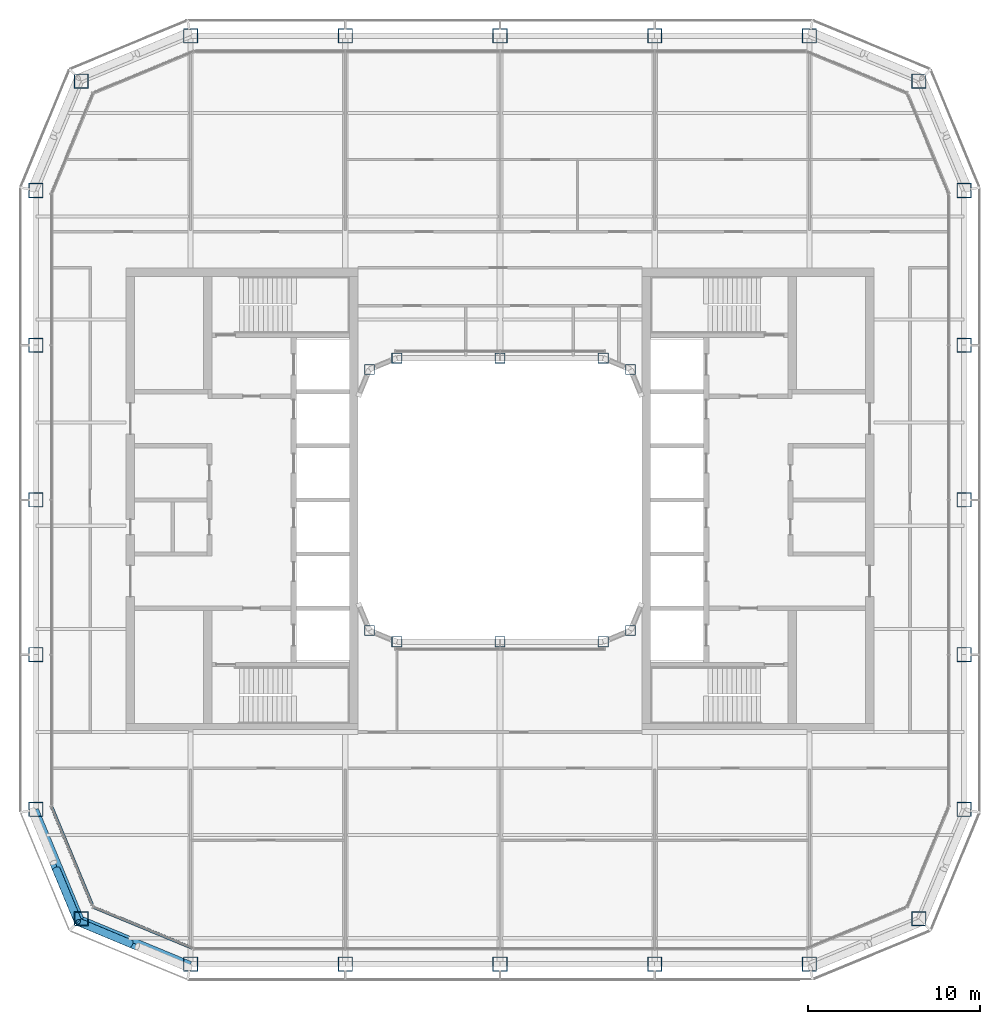
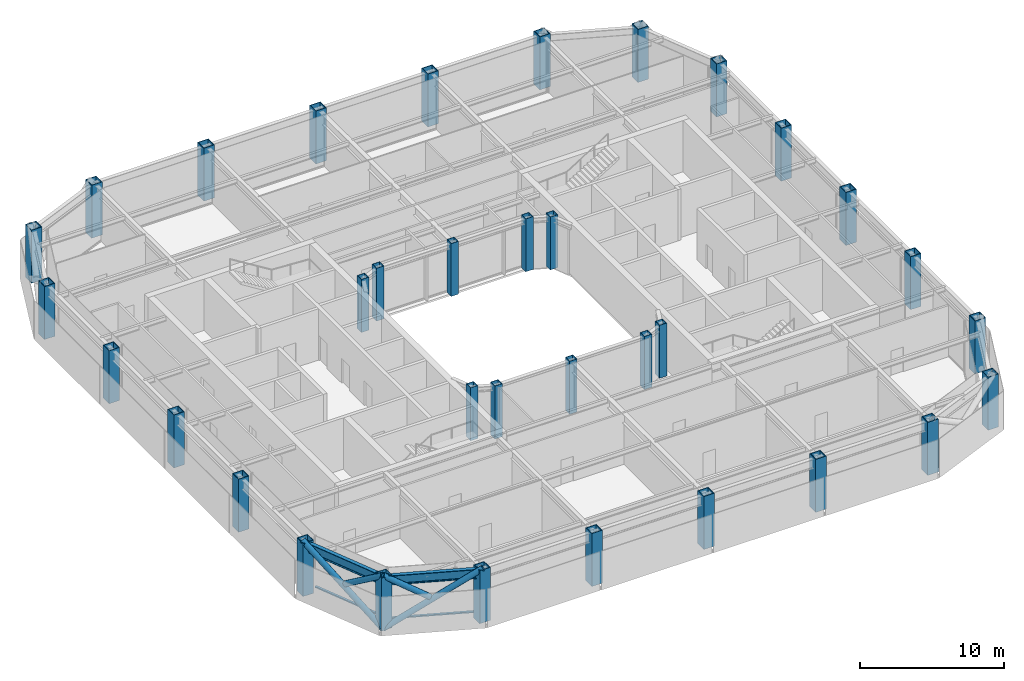
# One storey, part 1 of 19: 34 columns, 6 members, 2 beams, 2 elements without a shape of their own.
"""IFC4 building model written with IfcOpenShell, lengths in metres."""

from ifc_helpers import new_model, si_unit, direction, frame, origin, origin_2d, place, context, subcontext, project, spatial, rectangle, hollow_rectangle, hollow_circle, i_section, extrude, material, layer, layer_set, material_profile, profile_set, type_object, element, aggregate, save


model = new_model("IFC4")

# Units and contexts
model_context = context("Model", 3, precision=1e-05, world=origin(), true_north=direction((0.0, 1.0)))
body_context = subcontext(model_context, "Body", "Model", "MODEL_VIEW")
ifc_project = project(units=[si_unit("LENGTHUNIT", "METRE"), si_unit("AREAUNIT", "SQUARE_METRE"), si_unit("VOLUMEUNIT", "CUBIC_METRE"), si_unit("PLANEANGLEUNIT", "RADIAN"), si_unit("MASSUNIT", "GRAM", prefix="KILO")], contexts=[model_context])

# Site, building, storey
site_placement = place(None, origin())
site = spatial("IfcSite", under=ifc_project, at=site_placement, CompositionType="ELEMENT")
building_placement = place(site_placement, origin())
building = spatial("IfcBuilding", under=site, at=building_placement, Name="Siwar Civic Tower", CompositionType="ELEMENT")
storey_placement = place(building_placement, frame((0.0, 0.0, 192.699951171875)))
storey = spatial("IfcBuildingStorey", under=building, at=storey_placement, Name="L41", CompositionType="ELEMENT", Elevation=192.699951171875)

# Columns
ifc_material_1 = material(Name="Steel S355", Category="steel")
ifc_material_profile_1 = material_profile(ifc_material_1, hollow_rectangle(XDim=0.85009765625, YDim=0.85009765625, WallThickness=0.050048828125, at=origin_2d()), Name="BOX850x850x50")
ifc_profile_set_1 = profile_set([ifc_material_profile_1], Name="Steel S355")
column_type_1 = type_object("IfcColumnType", Name="STR-COL-BOX850x850x50", PredefinedType="COLUMN", material=ifc_profile_set_1)
for number, where, z_axis, x_axis, name in (
    (1, (-18.0, -27.0, 0.0), (0.0, 0.0, 1.0), (1.0, 0.0, 0.0), "L41/col/S-0"),
    (2, (-9.0, -27.0, 0.0), (0.0, 0.0, 1.0), (1.0, 0.0, 0.0), "L41/col/S-1"),
    (3, (0.0, -27.0, 0.0), (0.0, 0.0, 1.0), (1.0, 0.0, 0.0), "L41/col/S-2"),
    (4, (9.0, -27.0, 0.0), (0.0, 0.0, 1.0), (1.0, 0.0, 0.0), "L41/col/S-3"),
    (5, (18.0, -27.0, 0.0), (0.0, 0.0, 1.0), (1.0, 0.0, 0.0), "L41/col/SE1-0"),
    (6, (24.364013671875, -24.364013671875, 0.0), (0.0, 0.0, 1.0), (1.0, 0.0, 0.0), "L41/col/SE2-0"),
    (7, (27.0, -18.0, 0.0), (0.0, 0.0, 1.0), (1.0, 0.0, 0.0), "L41/col/E-0"),
    (8, (27.0, -9.0, 0.0), (0.0, 0.0, 1.0), (1.0, 0.0, 0.0), "L41/col/E-1"),
    (9, (27.0, 0.0, 0.0), (0.0, 0.0, 1.0), (1.0, 0.0, 0.0), "L41/col/E-2"),
    (10, (27.0, 9.0, 0.0), (0.0, 0.0, 1.0), (1.0, 0.0, 0.0), "L41/col/E-3"),
    (11, (27.0, 18.0, 0.0), (0.0, 0.0, 1.0), (1.0, 0.0, 0.0), "L41/col/NE1-0"),
    (12, (24.364013671875, 24.364013671875, 0.0), (0.0, 0.0, 1.0), (1.0, 0.0, 0.0), "L41/col/NE2-0"),
    (13, (18.0, 27.0, 0.0), (0.0, 0.0, 1.0), (1.0, 0.0, 0.0), "L41/col/N-0"),
    (14, (9.0, 27.0, 0.0), (0.0, 0.0, 1.0), (1.0, 0.0, 0.0), "L41/col/N-1"),
    (15, (0.0, 27.0, 0.0), (0.0, 0.0, 1.0), (1.0, 0.0, 0.0), "L41/col/N-2"),
    (16, (-9.0, 27.0, 0.0), (0.0, 0.0, 1.0), (1.0, 0.0, 0.0), "L41/col/N-3"),
    (17, (-18.0, 27.0, 0.0), (0.0, 0.0, 1.0), (1.0, 0.0, 0.0), "L41/col/NW1-0"),
    (18, (-24.364013671875, 24.364013671875, 0.0), (0.0, 0.0, 1.0), (1.0, 0.0, 0.0), "L41/col/NW2-0"),
    (19, (-27.0, 18.0, 0.0), (0.0, 0.0, 1.0), (1.0, 0.0, 0.0), "L41/col/W-0"),
    (20, (-27.0, 9.0, 0.0), (0.0, 0.0, 1.0), (1.0, 0.0, 0.0), "L41/col/W-1"),
    (21, (-27.0, 0.0, 0.0), (0.0, 0.0, 1.0), (1.0, 0.0, 0.0), "L41/col/W-2"),
    (22, (-27.0, -9.0, 0.0), (0.0, 0.0, 1.0), (1.0, 0.0, 0.0), "L41/col/W-3"),
    (23, (-27.0, -18.0, 0.0), (0.0, 0.0, 1.0), (1.0, 0.0, 0.0), "L41/col/SW1-0"),
    (24, (-24.364013671875, -24.364013671875, 0.0), (0.0, 0.0, 1.0), (1.0, 0.0, 0.0), "L41/col/SW2-0"),
):
    element("IfcColumn", number, at=place(storey_placement, frame(where, z_axis=z_axis, x_axis=x_axis)), inside=storey, type_object=column_type_1, Name=name, PredefinedType="COLUMN", context=body_context, shape_type="SweptSolid", body=[
        extrude(hollow_rectangle(XDim=0.85009765625, YDim=0.85009765625, WallThickness=0.050048828125, at=origin_2d()), origin(), (0.0, 0.0, 1.0), 4.5),
    ])
ifc_material_2 = material(Name="Steel S355", Category="steel")
ifc_material_profile_2 = material_profile(ifc_material_2, hollow_rectangle(XDim=0.60009765625, YDim=0.60009765625, WallThickness=0.031982421875, at=origin_2d()), Name="BOX600x600x32")
ifc_profile_set_2 = profile_set([ifc_material_profile_2], Name="Steel S355")
column_type_2 = type_object("IfcColumnType", Name="STR-ICOL-BOX600x600x32", PredefinedType="COLUMN", material=ifc_profile_set_2)
for number, where, z_axis, x_axis, name in (
    (25, (-7.591064453125, -7.591064453125, 0.0), (0.0, 0.0, 1.0), (1.0, 0.0, 0.0), "L41/col/IS-0"),
    (26, (-6.0, -8.25, 0.0), (0.0, 0.0, 1.0), (1.0, 0.0, 0.0), "L41/col/IS-1"),
    (27, (0.0, -8.25, 0.0), (0.0, 0.0, 1.0), (1.0, 0.0, 0.0), "L41/col/IS-2"),
    (28, (6.0, -8.25, 0.0), (0.0, 0.0, 1.0), (1.0, 0.0, 0.0), "L41/col/IS-3"),
    (29, (7.591064453125, -7.591064453125, 0.0), (0.0, 0.0, 1.0), (1.0, 0.0, 0.0), "L41/col/IS-4"),
    (30, (-7.591064453125, 7.591064453125, 0.0), (0.0, 0.0, 1.0), (1.0, 0.0, 0.0), "L41/col/IN-0"),
    (31, (-6.0, 8.25, 0.0), (0.0, 0.0, 1.0), (1.0, 0.0, 0.0), "L41/col/IN-1"),
    (32, (0.0, 8.25, 0.0), (0.0, 0.0, 1.0), (1.0, 0.0, 0.0), "L41/col/IN-2"),
    (33, (6.0, 8.25, 0.0), (0.0, 0.0, 1.0), (1.0, 0.0, 0.0), "L41/col/IN-3"),
    (34, (7.591064453125, 7.591064453125, 0.0), (0.0, 0.0, 1.0), (1.0, 0.0, 0.0), "L41/col/IN-4"),
):
    element("IfcColumn", number, at=place(storey_placement, frame(where, z_axis=z_axis, x_axis=x_axis)), inside=storey, type_object=column_type_2, Name=name, PredefinedType="COLUMN", context=body_context, shape_type="SweptSolid", body=[
        extrude(hollow_rectangle(XDim=0.60009765625, YDim=0.60009765625, WallThickness=0.031982421875, at=origin_2d()), origin(), (0.0, 0.0, 1.0), 4.5),
    ])

# Curtain wall, member
ifc_material_3 = material(Name="Aluminium clad insulated panel", Category="aluminium")
ifc_layer = layer(ifc_material_3, 0.179931640625)
ifc_layer_set = layer_set([ifc_layer], Name="Aluminium clad insulated panel")
curtain_wall_type = type_object("IfcCurtainWallType", Name="ENV-CW-CX", PredefinedType="NOTDEFINED", material=ifc_layer_set)
curtain_wall_1_placement = place(storey_placement, origin())
curtain_wall_1 = element("IfcCurtainWall", 35, at=curtain_wall_1_placement, inside=storey, type_object=curtain_wall_type, Name="Curtain wall C SW1", PredefinedType="NOTDEFINED")
ifc_material_4 = material(Name="Aluminium 6063-T6", Category="aluminium")
ifc_material_profile_3 = material_profile(ifc_material_4, rectangle(XDim=0.179931640625, YDim=0.10009765625, at=origin_2d()), Name="AL 180x100")
ifc_profile_set_3 = profile_set([ifc_material_profile_3], Name="Aluminium 6063-T6")
member_type_1 = type_object("IfcMemberType", Name="ENV-TRANSOM-C", PredefinedType="USERDEFINED", material=ifc_profile_set_3)
member_1_placement = place(storey_placement, frame((-26.088623046875, -17.8486328125, 0.050048828125), z_axis=(0.38267744817, -0.923882011223, 0.0), x_axis=(0.923882011223, 0.38267744817, 0.0)))
member_1 = element("IfcMember", 36, at=member_1_placement, type_object=member_type_1, Name="Transom C SW1 1", ObjectType="TRANSOM", PredefinedType="USERDEFINED", context=body_context, shape_type="SweptSolid", body=[
    extrude(rectangle(XDim=0.179931640625, YDim=0.10009765625, at=origin_2d()), origin(), (0.0, 0.0, 1.0), 6.201904296875),
])
aggregate(curtain_wall_1, [member_1])

curtain_wall_2_placement = place(storey_placement, origin())
curtain_wall_2 = element("IfcCurtainWall", 37, at=curtain_wall_2_placement, inside=storey, type_object=curtain_wall_type, Name="Curtain wall C SW2", PredefinedType="NOTDEFINED")
member_2_placement = place(storey_placement, frame((-23.6474609375, -23.6865234375, 0.050048828125), z_axis=(0.923876246063, -0.382691366456, 0.0), x_axis=(0.382691366456, 0.923876246063, 0.0)))
member_2 = element("IfcMember", 38, at=member_2_placement, type_object=member_type_1, Name="Transom C SW2 1", ObjectType="TRANSOM", PredefinedType="USERDEFINED", context=body_context, shape_type="SweptSolid", body=[
    extrude(rectangle(XDim=0.179931640625, YDim=0.10009765625, at=origin_2d()), origin(), (0.0, 0.0, 1.0), 6.20166015625),
])
aggregate(curtain_wall_2, [member_2])

# Members
ifc_material_5 = material(Name="Steel S355", Category="steel")
ifc_material_profile_4 = material_profile(ifc_material_5, hollow_circle(Radius=0.228515625, WallThickness=0.02001953125, at=origin_2d()), Name="CHS457x20")
ifc_profile_set_4 = profile_set([ifc_material_profile_4], Name="Steel S355")
member_type_2 = type_object("IfcMemberType", Name="STR-BR-CHS457x20", PredefinedType="BRACE", material=ifc_profile_set_4)
member_3_placement = place(storey_placement, frame((-24.540771484375, -24.540771484375, 0.0), z_axis=(0.777554562952, -0.323905527954, 0.538975055633), x_axis=(0.384538969033, 0.923108759191, 0.0)))
element("IfcMember", 39, at=member_3_placement, inside=storey, type_object=member_type_2, Name="L41/brc/CSW1-1-0-1", PredefinedType="BRACE", context=body_context, shape_type="SweptSolid", body=[
    extrude(hollow_circle(Radius=0.228515625, WallThickness=0.02001953125, at=origin_2d()), origin(), (0.0, 0.0, 1.0), 8.34912109375),
])
member_4_placement = place(storey_placement, frame((-21.486572265625, -25.81298828125, 2.383056640625), z_axis=(-0.777572496853, 0.323895306243, 0.538955325357), x_axis=(-0.38452107079, -0.92311621485, 0.0)))
element("IfcMember", 40, at=member_4_placement, inside=storey, type_object=member_type_2, Name="L41/brc/CSW1-1-0-3", PredefinedType="BRACE", context=body_context, shape_type="SweptSolid", body=[
    extrude(hollow_circle(Radius=0.228515625, WallThickness=0.02001953125, at=origin_2d()), origin(), (0.0, 0.0, 1.0), 3.927978515625),
])
member_5_placement = place(storey_placement, frame((-24.540771484375, -24.540771484375, 0.0), z_axis=(-0.323905527954, 0.777554562952, 0.538975055633), x_axis=(-0.923108759191, -0.384538969033, 0.0)))
element("IfcMember", 41, at=member_5_placement, inside=storey, type_object=member_type_2, Name="L41/brc/CSW1-1-0-0", PredefinedType="BRACE", context=body_context, shape_type="SweptSolid", body=[
    extrude(hollow_circle(Radius=0.228515625, WallThickness=0.02001953125, at=origin_2d()), origin(), (0.0, 0.0, 1.0), 8.34912109375),
])
member_6_placement = place(storey_placement, frame((-25.81298828125, -21.486572265625, 2.383056640625), z_axis=(0.323895306243, -0.777572496853, 0.538955325357), x_axis=(0.92311621485, 0.38452107079, 0.0)))
element("IfcMember", 42, at=member_6_placement, inside=storey, type_object=member_type_2, Name="L41/brc/CSW1-1-0-5", PredefinedType="BRACE", context=body_context, shape_type="SweptSolid", body=[
    extrude(hollow_circle(Radius=0.228515625, WallThickness=0.02001953125, at=origin_2d()), origin(), (0.0, 0.0, 1.0), 3.927978515625),
])

# Beams
ifc_material_6 = material(Name="Steel S355", Category="steel")
ifc_material_profile_5 = material_profile(ifc_material_6, i_section(OverallWidth=0.300048828125, OverallDepth=0.800048828125, WebThickness=0.017578125, FlangeThickness=0.032958984375, FilletRadius=0.030029296875, at=origin_2d()), Name="HEB800")
ifc_profile_set_5 = profile_set([ifc_material_profile_5], Name="Steel S355")
beam_type = type_object("IfcBeamType", Name="STR-SB-HEB800", PredefinedType="BEAM", material=ifc_profile_set_5)
for number, where, z_axis, x_axis, name in (
    (43, (-27.0, -18.0, 3.949951171875), (0.382674207535, -0.923883353507, 0.0), (0.923883353507, 0.382674207535, 0.0), "L41/bm/SSW1-0"),
    (44, (-24.364013671875, -24.364013671875, 3.949951171875), (0.923883353507, -0.382674207535, 0.0), (0.382674207535, 0.923883353507, 0.0), "L41/bm/SSW2-0"),
):
    element("IfcBeam", number, at=place(storey_placement, frame(where, z_axis=z_axis, x_axis=x_axis)), inside=storey, type_object=beam_type, Name=name, PredefinedType="BEAM", context=body_context, shape_type="SweptSolid", body=[
        extrude(i_section(OverallWidth=0.300048828125, OverallDepth=0.800048828125, WebThickness=0.017578125, FlangeThickness=0.032958984375, FilletRadius=0.030029296875, at=origin_2d()), origin(), (0.0, 0.0, 1.0), 6.888427734375),
    ])

save(model, "model.ifc")
